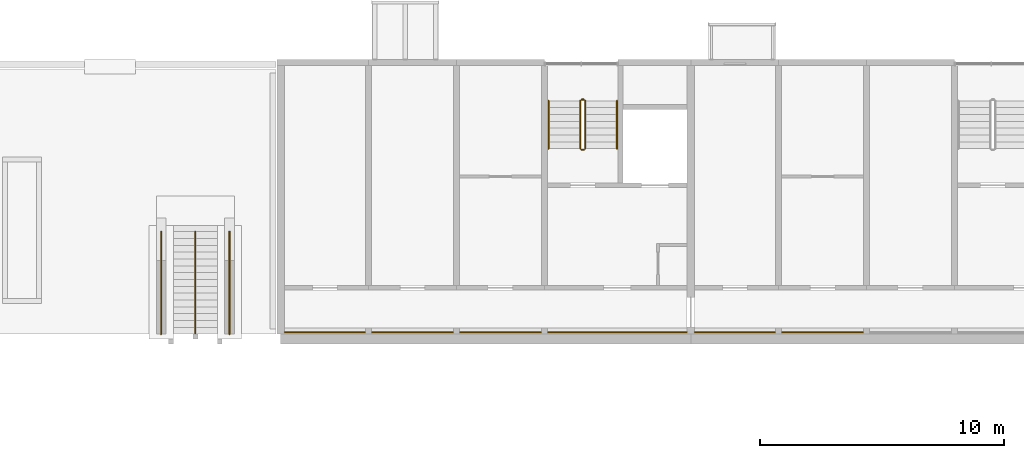
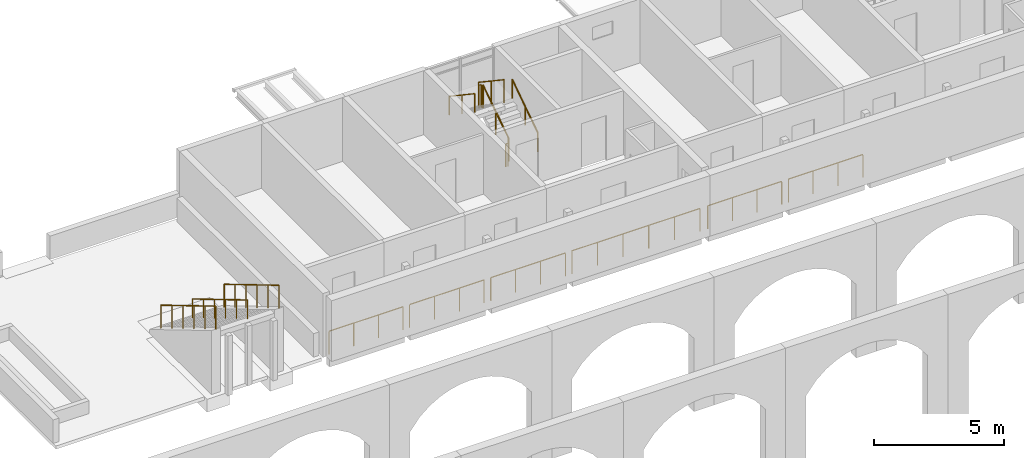
# One storey, part 101 of 122: 15 railings.
"""IFC4 building model written with IfcOpenShell, lengths in metres."""

import ifcopenshell
import ifcopenshell.guid

model = None  # the IFC model being written
_history = None  # IfcOwnerHistory: only IFC2X3 demands one
_inside = {}  # id of a spatial element -> (the spatial element, [elements in it])
_under = {}  # id of a project, library or spatial element -> (it, [spatial elements below it])
_declared = {}  # id of a project -> (the project, [libraries it declares])
_typed = {}  # id of a type object -> (the type object, [elements of that type])
_made_of = {}  # id of a material, layer set ... -> (it, [elements and type objects made of it])


def new_model(schema):
    """Start an empty IFC model of exactly this schema.

    Asked for "IFC4X3", IfcOpenShell would pick the latest addendum, in which some entities
    have other attributes; the version numbers below select the first issue.
    IFC2X3 requires an IfcOwnerHistory on every rooted entity: one is made here for all.
    """
    global model, _history
    if schema == "IFC4X3":
        model = ifcopenshell.file(schema_version=(4, 3, 0, 0))
    else:
        model = ifcopenshell.file(schema=schema)
    _inside.clear()
    _under.clear()
    _declared.clear()
    _typed.clear()
    _made_of.clear()
    _history = None
    if model.schema == "IFC2X3":
        org = make("IfcOrganization", Name="unknown")
        user = make(
            "IfcPersonAndOrganization",
            ThePerson=make("IfcPerson", FamilyName="unknown"),
            TheOrganization=org,
        )
        app = make(
            "IfcApplication",
            ApplicationDeveloper=org,
            Version="unknown",
            ApplicationFullName="unknown",
            ApplicationIdentifier="unknown",
        )
        _history = make(
            "IfcOwnerHistory",
            OwningUser=user,
            OwningApplication=app,
            ChangeAction="ADDED",
            CreationDate=0,
        )
    return model


def make(cls, **values):
    """One entity of the class cls with the attributes given. An attribute that is None is left unset."""
    return model.create_entity(
        cls, **{name: value for name, value in values.items() if value is not None}
    )


def rooted(cls, **values):
    """An entity with a GlobalId (a new one), such as an element, a storey or a relation."""
    return make(cls, GlobalId=ifcopenshell.guid.new(), OwnerHistory=_history, **values)


def si_unit(unit_type, name, prefix=None):
    """IfcSIUnit, for example si_unit("LENGTHUNIT", "METRE", prefix="MILLI")."""
    return make("IfcSIUnit", UnitType=unit_type, Prefix=prefix, Name=name)


def assignment(units):
    """IfcUnitAssignment: the units of a project."""
    return None if units is None else make("IfcUnitAssignment", Units=units)


def point(xyz):
    """IfcCartesianPoint."""
    return None if xyz is None else make("IfcCartesianPoint", Coordinates=xyz)


def direction(xyz):
    """IfcDirection."""
    return None if xyz is None else make("IfcDirection", DirectionRatios=xyz)


def frame(location, z_axis=None, x_axis=None):
    """IfcAxis2Placement3D, a coordinate frame: its origin and axes. An axis left out is left unset."""
    return make(
        "IfcAxis2Placement3D",
        Location=point(location),
        Axis=direction(z_axis),
        RefDirection=direction(x_axis),
    )


def frame_2d(location, x_axis=None):
    """IfcAxis2Placement2D, a coordinate frame in the plane: its origin and x axis."""
    return make(
        "IfcAxis2Placement2D", Location=point(location), RefDirection=direction(x_axis)
    )


def origin():
    """The frame at (0, 0, 0) with its axes left unset."""
    return frame((0.0, 0.0, 0.0))


def origin_2d():
    """The frame at (0, 0) in the plane with its x axis left unset."""
    return frame_2d((0.0, 0.0))


def place(relative_to, where):
    """IfcLocalPlacement: puts the frame where relative to a parent placement (None: the world)."""
    return make(
        "IfcLocalPlacement", PlacementRelTo=relative_to, RelativePlacement=where
    )


def context(
    kind, dimensions, precision=None, world=None, true_north=None, identifier=None
):
    """IfcGeometricRepresentationContext, for example the 3D "Model" context."""
    return make(
        "IfcGeometricRepresentationContext",
        ContextIdentifier=identifier,
        ContextType=kind,
        CoordinateSpaceDimension=dimensions,
        Precision=precision,
        WorldCoordinateSystem=world,
        TrueNorth=true_north,
    )


def subcontext(parent, identifier, kind, view, scale=None):
    """IfcGeometricRepresentationSubContext, for example "Body" below "Model"."""
    return make(
        "IfcGeometricRepresentationSubContext",
        ContextIdentifier=identifier,
        ContextType=kind,
        ParentContext=parent,
        TargetScale=scale,
        TargetView=view,
    )


def project(units=None, contexts=None):
    """IfcProject with its units and contexts."""
    return rooted(
        "IfcProject",
        Name="project",
        RepresentationContexts=contexts,
        UnitsInContext=assignment(units),
    )


def spatial(cls, under=None, at=None, **own):
    """A site, building, storey or space (cls), placed at a placement, below another one or the project."""
    s = rooted(cls, ObjectPlacement=at, **own)
    if under is not None:
        _under.setdefault(under.id(), (under, []))[1].append(s)
    return s


def profile(cls, at=None, kind="AREA", **sizes):
    """A parametric profile (cls). Its sizes go by their IFC names, for example OverallWidth=200.0."""
    return make(cls, ProfileType=kind, Position=at, **sizes)


def circle(**sizes):
    """IfcCircleProfileDef."""
    return profile("IfcCircleProfileDef", **sizes)


def extrude(swept, where, along, depth):
    """IfcExtrudedAreaSolid: the profile swept, set in the frame where, extruded along a direction by depth."""
    return make(
        "IfcExtrudedAreaSolid",
        SweptArea=swept,
        Position=where,
        ExtrudedDirection=direction(along),
        Depth=depth,
    )


def shape(context_of_items, identifier, shape_type, items):
    """IfcShapeRepresentation: the items that make up one representation, for example the "Body"."""
    return make(
        "IfcShapeRepresentation",
        ContextOfItems=context_of_items,
        RepresentationIdentifier=identifier,
        RepresentationType=shape_type,
        Items=items,
    )


def material(Name=None, Category=None):
    """IfcMaterial."""
    return make("IfcMaterial", Name=Name, Category=Category)


def made_of(thing, what):
    """Note that an element or type object is made of a material, layer set ...; save() writes the relation."""
    if what is not None:
        _made_of.setdefault(what.id(), (what, []))[1].append(thing)
    return thing


def type_object(cls, material=None, **own):
    """A type object (cls), such as IfcWallType, which elements share."""
    return made_of(rooted(cls, **own), material)


def element(
    cls,
    number,
    at=None,
    inside=None,
    cuts=None,
    type_object=None,
    material=None,
    context=None,
    identifier="Body",
    shape_type=None,
    held_by="IfcProductDefinitionShape",
    body=None,
    shapes=None,
    **own,
):
    """One element of the class cls, such as IfcWall. Its Tag is "e" and its number.

    at: its placement. inside: the storey or other place that contains it. cuts: it is an
    opening in that element (IfcRelVoidsElement). A single representation is given by context,
    identifier, shape_type and body (its items); several are given by shapes. held_by: the class
    of the entity that holds the representations. save() writes the other relations.
    """
    e = rooted(cls, Tag="e%d" % number, ObjectPlacement=at, **own)
    if body is not None:
        shapes = [shape(context, identifier, shape_type, body)]
    if shapes is not None:
        e.Representation = make(held_by, Representations=shapes)
    if inside is not None:
        _inside.setdefault(inside.id(), (inside, []))[1].append(e)
    if cuts is not None:
        rooted(
            "IfcRelVoidsElement", RelatingBuildingElement=cuts, RelatedOpeningElement=e
        )
    if type_object is not None:
        _typed.setdefault(type_object.id(), (type_object, []))[1].append(e)
    return made_of(e, material)


def aggregate(whole, parts):
    """IfcRelAggregates: a whole, such as a stair, and the parts it consists of."""
    return rooted("IfcRelAggregates", RelatingObject=whole, RelatedObjects=parts)


def save(model, path):
    """Write the relations noted so far, then the file.

    IfcRelAggregates (storeys below a building ...), IfcRelContainedInSpatialStructure (elements
    in a storey), IfcRelDefinesByType, IfcRelAssociatesMaterial and IfcRelDeclares: one each for
    every whole, place, type object, material and project.
    """
    for whole, parts in _under.values():
        aggregate(whole, parts)
    for where, things in _inside.values():
        rooted(
            "IfcRelContainedInSpatialStructure",
            RelatedElements=things,
            RelatingStructure=where,
        )
    for kind, things in _typed.values():
        rooted("IfcRelDefinesByType", RelatedObjects=things, RelatingType=kind)
    for what, things in _made_of.values():
        rooted("IfcRelAssociatesMaterial", RelatedObjects=things, RelatingMaterial=what)
    for by, libraries in _declared.values():
        rooted("IfcRelDeclares", RelatingContext=by, RelatedDefinitions=libraries)
    model.write(path)


model = new_model("IFC4")

# Units and contexts
model_context = context("Model", 3, precision=1e-05, world=origin(), true_north=direction((0.0, 1.0)))
body_context = subcontext(model_context, "Body", "Model", "MODEL_VIEW")
ifc_project = project(units=[si_unit("LENGTHUNIT", "METRE"), si_unit("AREAUNIT", "SQUARE_METRE"), si_unit("VOLUMEUNIT", "CUBIC_METRE"), si_unit("PLANEANGLEUNIT", "RADIAN"), si_unit("MASSUNIT", "GRAM", prefix="KILO")], contexts=[model_context])

# Site, building, storey
site_placement = place(None, origin())
site = spatial("IfcSite", under=ifc_project, at=site_placement, CompositionType="ELEMENT")
building_placement = place(site_placement, origin())
building = spatial("IfcBuilding", under=site, at=building_placement, Name="Ridgestep Commons", CompositionType="ELEMENT")
storey_placement = place(building_placement, frame((0.0, 0.0, 3.0)))
storey = spatial("IfcBuildingStorey", under=building, at=storey_placement, Name="L01", CompositionType="ELEMENT", Elevation=3.0)

# Railings
ifc_material_1 = material(Name="Structural steel S355JR", Category="steel")
railing_type_1 = type_object("IfcRailingType", Name="Community stair guard 1100", PredefinedType="GUARDRAIL", material=ifc_material_1)
for number, where, name in (
    (1, (7.10009765625, 15.949951171875, 0.5), "Stair guard"),
    (2, (9.89990234375, 15.949951171875, 0.5), "Stair guard"),
):
    element("IfcRailing", number, at=place(storey_placement, frame(where)), inside=storey, type_object=railing_type_1, Name=name, PredefinedType="GUARDRAIL", context=body_context, shape_type="SweptSolid", body=[
        extrude(circle(Radius=0.02392578125, at=origin_2d()), frame((0.0, 0.0, 1.076171875), z_axis=(0.0, -0.859290270856, 0.511488250512), x_axis=(1.0, 0.0, 0.0)), (0.0, 0.0, 1.0), 4.8876953125),
        extrude(circle(Radius=0.02099609375, at=origin_2d()), origin(), (0.0, 0.0, 1.0), 1.052001953125),
        extrude(circle(Radius=0.02099609375, at=origin_2d()), frame((0.0, -0.840087890625, 0.5)), (0.0, 0.0, 1.0), 1.052001953125),
        extrude(circle(Radius=0.02099609375, at=origin_2d()), frame((0.0, -1.679931640625, 1.0)), (0.0, 0.0, 1.0), 1.052001953125),
        extrude(circle(Radius=0.02099609375, at=origin_2d()), frame((0.0, -2.52001953125, 1.5)), (0.0, 0.0, 1.0), 1.052001953125),
        extrude(circle(Radius=0.02099609375, at=origin_2d()), frame((0.0, -3.35986328125, 2.0)), (0.0, 0.0, 1.0), 1.052001953125),
        extrude(circle(Radius=0.02099609375, at=origin_2d()), frame((0.0, -4.199951171875, 2.5)), (0.0, 0.0, 1.0), 1.052001953125),
    ])
ifc_material_2 = material(Name="Structural steel S355JR", Category="steel")
railing_type_2 = type_object("IfcRailingType", Name="Community stair handrail 900", PredefinedType="HANDRAIL", material=ifc_material_2)
railing_1_placement = place(storey_placement, frame((8.5, 15.949951171875, 0.5)))
element("IfcRailing", 3, at=railing_1_placement, inside=storey, type_object=railing_type_2, Name="Stair centre handrail", PredefinedType="HANDRAIL", context=body_context, shape_type="SweptSolid", body=[
    extrude(circle(Radius=0.02392578125, at=origin_2d()), frame((0.0, 0.0, 0.8759765625), z_axis=(0.0, -0.859290270856, 0.511488250512), x_axis=(1.0, 0.0, 0.0)), (0.0, 0.0, 1.0), 4.8876953125),
    extrude(circle(Radius=0.02099609375, at=origin_2d()), origin(), (0.0, 0.0, 1.0), 0.851806640625),
    extrude(circle(Radius=0.02099609375, at=origin_2d()), frame((0.0, -0.840087890625, 0.5)), (0.0, 0.0, 1.0), 0.851806640625),
    extrude(circle(Radius=0.02099609375, at=origin_2d()), frame((0.0, -1.679931640625, 1.0)), (0.0, 0.0, 1.0), 0.851806640625),
    extrude(circle(Radius=0.02099609375, at=origin_2d()), frame((0.0, -2.52001953125, 1.5)), (0.0, 0.0, 1.0), 0.851806640625),
    extrude(circle(Radius=0.02099609375, at=origin_2d()), frame((0.0, -3.35986328125, 2.0)), (0.0, 0.0, 1.0), 0.851806640625),
    extrude(circle(Radius=0.02099609375, at=origin_2d()), frame((0.0, -4.199951171875, 2.5)), (0.0, 0.0, 1.0), 0.851806640625),
])
ifc_material_3 = material(Name="Structural steel S355JR galvanised", Category="steel")
railing_type_3 = type_object("IfcRailingType", Name="Passage guard 1100", PredefinedType="GUARDRAIL", material=ifc_material_3)
railing_2_placement = place(storey_placement, frame((12.1708984375, 11.830078125, 0.0)))
element("IfcRailing", 4, at=railing_2_placement, inside=storey, type_object=railing_type_3, Name="Passage guard A 01.1", PredefinedType="GUARDRAIL", context=body_context, shape_type="SweptSolid", body=[
    extrude(circle(Radius=0.02392578125, at=origin_2d()), frame((0.0, 0.0, 1.076171875), z_axis=(1.0, 0.0, 0.0), x_axis=(0.0, 1.0, 0.0)), (0.0, 0.0, 1.0), 3.283203125),
    extrude(circle(Radius=0.02099609375, at=origin_2d()), origin(), (0.0, 0.0, 1.0), 1.052001953125),
    extrude(circle(Radius=0.02099609375, at=origin_2d()), frame((1.094482421875, 0.0, 0.0)), (0.0, 0.0, 1.0), 1.052001953125),
    extrude(circle(Radius=0.02099609375, at=origin_2d()), frame((2.188720703125, 0.0, 0.0)), (0.0, 0.0, 1.0), 1.052001953125),
    extrude(circle(Radius=0.02099609375, at=origin_2d()), frame((3.283203125, 0.0, 0.0)), (0.0, 0.0, 1.0), 1.052001953125),
])
railing_3_placement = place(storey_placement, frame((15.74609375, 11.830078125, 0.0)))
element("IfcRailing", 5, at=railing_3_placement, inside=storey, type_object=railing_type_3, Name="Passage guard A 01.2", PredefinedType="GUARDRAIL", context=body_context, shape_type="SweptSolid", body=[
    extrude(circle(Radius=0.02392578125, at=origin_2d()), frame((0.0, 0.0, 1.076171875), z_axis=(1.0, 0.0, 0.0), x_axis=(0.0, 1.0, 0.0)), (0.0, 0.0, 1.0), 3.307861328125),
    extrude(circle(Radius=0.02099609375, at=origin_2d()), origin(), (0.0, 0.0, 1.0), 1.052001953125),
    extrude(circle(Radius=0.02099609375, at=origin_2d()), frame((1.1025390625, 0.0, 0.0)), (0.0, 0.0, 1.0), 1.052001953125),
    extrude(circle(Radius=0.02099609375, at=origin_2d()), frame((2.205322265625, 0.0, 0.0)), (0.0, 0.0, 1.0), 1.052001953125),
    extrude(circle(Radius=0.02099609375, at=origin_2d()), frame((3.307861328125, 0.0, 0.0)), (0.0, 0.0, 1.0), 1.052001953125),
])
railing_4_placement = place(storey_placement, frame((19.345947265625, 11.830078125, 0.0)))
element("IfcRailing", 6, at=railing_4_placement, inside=storey, type_object=railing_type_3, Name="Passage guard A 01.3", PredefinedType="GUARDRAIL", context=body_context, shape_type="SweptSolid", body=[
    extrude(circle(Radius=0.02392578125, at=origin_2d()), frame((0.0, 0.0, 1.076171875), z_axis=(1.0, 0.0, 0.0), x_axis=(0.0, 1.0, 0.0)), (0.0, 0.0, 1.0), 3.30810546875),
    extrude(circle(Radius=0.02099609375, at=origin_2d()), origin(), (0.0, 0.0, 1.0), 1.052001953125),
    extrude(circle(Radius=0.02099609375, at=origin_2d()), frame((1.102783203125, 0.0, 0.0)), (0.0, 0.0, 1.0), 1.052001953125),
    extrude(circle(Radius=0.02099609375, at=origin_2d()), frame((2.205322265625, 0.0, 0.0)), (0.0, 0.0, 1.0), 1.052001953125),
    extrude(circle(Radius=0.02099609375, at=origin_2d()), frame((3.30810546875, 0.0, 0.0)), (0.0, 0.0, 1.0), 1.052001953125),
])
railing_5_placement = place(storey_placement, frame((22.946044921875, 11.830078125, 0.0)))
element("IfcRailing", 7, at=railing_5_placement, inside=storey, type_object=railing_type_3, Name="Passage guard A 01.4", PredefinedType="GUARDRAIL", context=body_context, shape_type="SweptSolid", body=[
    extrude(circle(Radius=0.02392578125, at=origin_2d()), frame((0.0, 0.0, 1.076171875), z_axis=(1.0, 0.0, 0.0), x_axis=(0.0, 1.0, 0.0)), (0.0, 0.0, 1.0), 5.682861328125),
    extrude(circle(Radius=0.02099609375, at=origin_2d()), origin(), (0.0, 0.0, 1.0), 1.052001953125),
    extrude(circle(Radius=0.02099609375, at=origin_2d()), frame((1.136474609375, 0.0, 0.0)), (0.0, 0.0, 1.0), 1.052001953125),
    extrude(circle(Radius=0.02099609375, at=origin_2d()), frame((2.273193359375, 0.0, 0.0)), (0.0, 0.0, 1.0), 1.052001953125),
    extrude(circle(Radius=0.02099609375, at=origin_2d()), frame((3.40966796875, 0.0, 0.0)), (0.0, 0.0, 1.0), 1.052001953125),
    extrude(circle(Radius=0.02099609375, at=origin_2d()), frame((4.54638671875, 0.0, 0.0)), (0.0, 0.0, 1.0), 1.052001953125),
    extrude(circle(Radius=0.02099609375, at=origin_2d()), frame((5.682861328125, 0.0, 0.0)), (0.0, 0.0, 1.0), 1.052001953125),
])
railing_6_placement = place(storey_placement, frame((28.970947265625, 11.830078125, 0.0)))
element("IfcRailing", 8, at=railing_6_placement, inside=storey, type_object=railing_type_3, Name="Passage guard A 01.5", PredefinedType="GUARDRAIL", context=body_context, shape_type="SweptSolid", body=[
    extrude(circle(Radius=0.02392578125, at=origin_2d()), frame((0.0, 0.0, 1.076171875), z_axis=(1.0, 0.0, 0.0), x_axis=(0.0, 1.0, 0.0)), (0.0, 0.0, 1.0), 3.282958984375),
    extrude(circle(Radius=0.02099609375, at=origin_2d()), origin(), (0.0, 0.0, 1.0), 1.052001953125),
    extrude(circle(Radius=0.02099609375, at=origin_2d()), frame((1.09423828125, 0.0, 0.0)), (0.0, 0.0, 1.0), 1.052001953125),
    extrude(circle(Radius=0.02099609375, at=origin_2d()), frame((2.188720703125, 0.0, 0.0)), (0.0, 0.0, 1.0), 1.052001953125),
    extrude(circle(Radius=0.02099609375, at=origin_2d()), frame((3.282958984375, 0.0, 0.0)), (0.0, 0.0, 1.0), 1.052001953125),
])
railing_7_placement = place(storey_placement, frame((32.5458984375, 11.830078125, 0.0)))
element("IfcRailing", 9, at=railing_7_placement, inside=storey, type_object=railing_type_3, Name="Passage guard A 01.6", PredefinedType="GUARDRAIL", context=body_context, shape_type="SweptSolid", body=[
    extrude(circle(Radius=0.02392578125, at=origin_2d()), frame((0.0, 0.0, 1.076171875), z_axis=(1.0, 0.0, 0.0), x_axis=(0.0, 1.0, 0.0)), (0.0, 0.0, 1.0), 3.30810546875),
    extrude(circle(Radius=0.02099609375, at=origin_2d()), origin(), (0.0, 0.0, 1.0), 1.052001953125),
    extrude(circle(Radius=0.02099609375, at=origin_2d()), frame((1.102783203125, 0.0, 0.0)), (0.0, 0.0, 1.0), 1.052001953125),
    extrude(circle(Radius=0.02099609375, at=origin_2d()), frame((2.205322265625, 0.0, 0.0)), (0.0, 0.0, 1.0), 1.052001953125),
    extrude(circle(Radius=0.02099609375, at=origin_2d()), frame((3.30810546875, 0.0, 0.0)), (0.0, 0.0, 1.0), 1.052001953125),
])
ifc_material_4 = material(Name="Structural steel S355JR", Category="steel")
railing_type_4 = type_object("IfcRailingType", Name="Stair guard 1100", PredefinedType="GUARDRAIL", material=ifc_material_4)
railing_8_placement = place(storey_placement, frame((24.47509765625, 19.35009765625, 0.1875)))
element("IfcRailing", 10, at=railing_8_placement, inside=storey, type_object=railing_type_4, Name="L01 A1C stair guard 1", PredefinedType="GUARDRAIL", context=body_context, shape_type="SweptSolid", body=[
    extrude(circle(Radius=0.02392578125, at=origin_2d()), frame((0.0, 0.0, 1.076171875), z_axis=(0.0, 0.830902050051, 0.556418712142), x_axis=(-1.0, 0.0, 0.0)), (0.0, 0.0, 1.0), 2.35888671875),
    extrude(circle(Radius=0.02099609375, at=origin_2d()), origin(), (0.0, 0.0, 1.0), 1.052001953125),
    extrude(circle(Radius=0.02099609375, at=origin_2d()), frame((0.0, 0.97998046875, 0.65625)), (0.0, 0.0, 1.0), 1.052001953125),
    extrude(circle(Radius=0.02099609375, at=origin_2d()), frame((0.0, 1.9599609375, 1.3125)), (0.0, 0.0, 1.0), 1.052001953125),
])
railing_9_placement = place(storey_placement, frame((24.425048828125, 21.360107421875, 1.5)))
element("IfcRailing", 11, at=railing_9_placement, inside=storey, type_object=railing_type_4, Name="L01 A1C stair guard 2", PredefinedType="GUARDRAIL", context=body_context, shape_type="SweptSolid", body=[
    extrude(circle(Radius=0.02392578125, at=origin_2d()), frame((0.0, 0.0, 1.076171875), z_axis=(-1.0, 0.0, 0.0), x_axis=(0.0, -1.0, 0.0)), (0.0, 0.0, 1.0), 0.10009765625),
    extrude(circle(Radius=0.02099609375, at=origin_2d()), origin(), (0.0, 0.0, 1.0), 1.052001953125),
    extrude(circle(Radius=0.02099609375, at=origin_2d()), frame((-0.10009765625, 0.0, 0.0)), (0.0, 0.0, 1.0), 1.052001953125),
])
railing_10_placement = place(storey_placement, frame((24.27490234375, 21.31005859375, 1.6875)))
element("IfcRailing", 12, at=railing_10_placement, inside=storey, type_object=railing_type_4, Name="L01 A1C stair guard 3", PredefinedType="GUARDRAIL", context=body_context, shape_type="SweptSolid", body=[
    extrude(circle(Radius=0.02392578125, at=origin_2d()), frame((0.0, 0.0, 1.076171875), z_axis=(0.0, -0.830902050051, 0.556418712142), x_axis=(1.0, 0.0, 0.0)), (0.0, 0.0, 1.0), 2.35888671875),
    extrude(circle(Radius=0.02099609375, at=origin_2d()), origin(), (0.0, 0.0, 1.0), 1.052001953125),
    extrude(circle(Radius=0.02099609375, at=origin_2d()), frame((0.0, -0.97998046875, 0.65625)), (0.0, 0.0, 1.0), 1.052001953125),
    extrude(circle(Radius=0.02099609375, at=origin_2d()), frame((0.0, -1.9599609375, 1.3125)), (0.0, 0.0, 1.0), 1.052001953125),
])
railing_11_placement = place(storey_placement, frame((24.425048828125, 19.300048828125, 0.0)))
element("IfcRailing", 13, at=railing_11_placement, inside=storey, type_object=railing_type_4, Name="L01 A1C stair guard 4", PredefinedType="GUARDRAIL", context=body_context, shape_type="SweptSolid", body=[
    extrude(circle(Radius=0.02392578125, at=origin_2d()), frame((0.0, 0.0, 1.076171875), z_axis=(-1.0, 0.0, 0.0), x_axis=(0.0, -1.0, 0.0)), (0.0, 0.0, 1.0), 0.10009765625),
    extrude(circle(Radius=0.02099609375, at=origin_2d()), origin(), (0.0, 0.0, 1.0), 1.052001953125),
    extrude(circle(Radius=0.02099609375, at=origin_2d()), frame((-0.10009765625, 0.0, 0.0)), (0.0, 0.0, 1.0), 1.052001953125),
])
ifc_material_5 = material(Name="Structural steel S355JR", Category="steel")
railing_type_5 = type_object("IfcRailingType", Name="Stair handrail 900", PredefinedType="HANDRAIL", material=ifc_material_5)
railing_12_placement = place(storey_placement, frame((25.77490234375, 19.35009765625, 0.1875)))
element("IfcRailing", 14, at=railing_12_placement, inside=storey, type_object=railing_type_5, Name="L01 A1C stair handrail 1", PredefinedType="HANDRAIL", context=body_context, shape_type="SweptSolid", body=[
    extrude(circle(Radius=0.02392578125, at=origin_2d()), frame((0.0, 0.0, 0.8759765625), z_axis=(0.0, 0.830902050051, 0.556418712142), x_axis=(-1.0, 0.0, 0.0)), (0.0, 0.0, 1.0), 2.35888671875),
    extrude(circle(Radius=0.02099609375, at=origin_2d()), origin(), (0.0, 0.0, 1.0), 0.851806640625),
    extrude(circle(Radius=0.02099609375, at=origin_2d()), frame((0.0, 0.97998046875, 0.65625)), (0.0, 0.0, 1.0), 0.851806640625),
    extrude(circle(Radius=0.02099609375, at=origin_2d()), frame((0.0, 1.9599609375, 1.3125)), (0.0, 0.0, 1.0), 0.851806640625),
])
railing_13_placement = place(storey_placement, frame((22.97509765625, 21.31005859375, 1.6875)))
element("IfcRailing", 15, at=railing_13_placement, inside=storey, type_object=railing_type_5, Name="L01 A1C stair handrail 2", PredefinedType="HANDRAIL", context=body_context, shape_type="SweptSolid", body=[
    extrude(circle(Radius=0.02392578125, at=origin_2d()), frame((0.0, 0.0, 0.8759765625), z_axis=(0.0, -0.830902050051, 0.556418712142), x_axis=(1.0, 0.0, 0.0)), (0.0, 0.0, 1.0), 2.35888671875),
    extrude(circle(Radius=0.02099609375, at=origin_2d()), origin(), (0.0, 0.0, 1.0), 0.851806640625),
    extrude(circle(Radius=0.02099609375, at=origin_2d()), frame((0.0, -0.97998046875, 0.65625)), (0.0, 0.0, 1.0), 0.851806640625),
    extrude(circle(Radius=0.02099609375, at=origin_2d()), frame((0.0, -1.9599609375, 1.3125)), (0.0, 0.0, 1.0), 0.851806640625),
])

save(model, "model.ifc")
